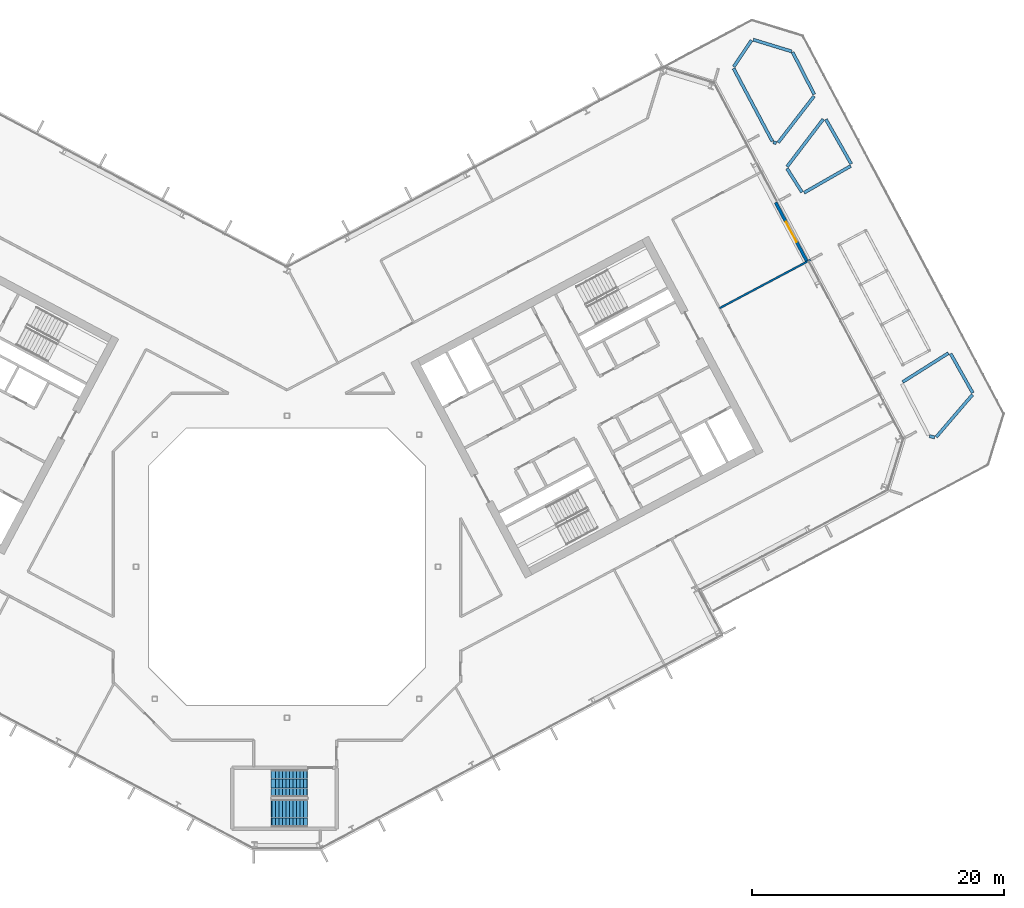
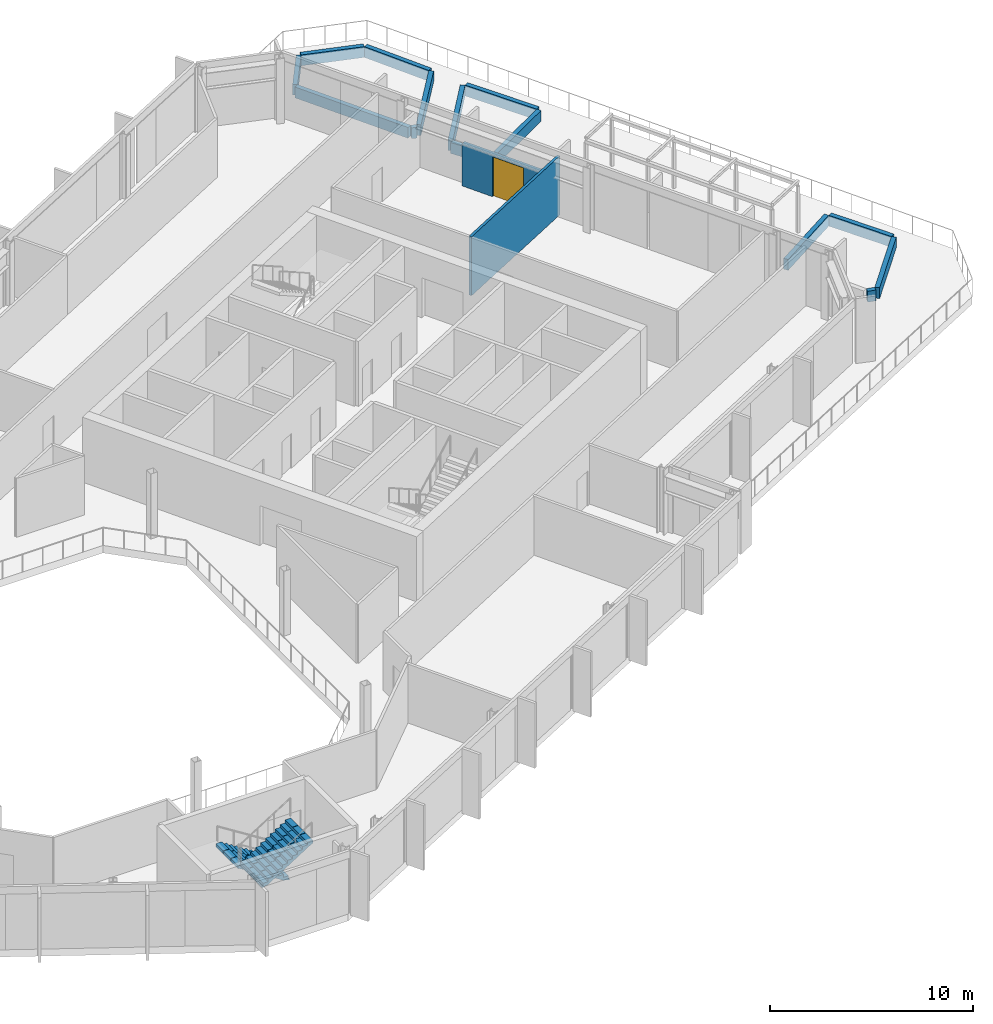
# One storey, part 20 of 31: 16 walls, 2 stair flights, 1 door, 1 opening, 1 element without a shape of its own.
"""IFC4 building model written with IfcOpenShell, lengths in metres."""

from ifc_helpers import new_model, si_unit, direction, frame, frame_2d, origin, place, context, subcontext, project, spatial, polyline, rectangle, outline, extrude, material, layer, layer_set, type_object, element, fill, aggregate, save


model = new_model("IFC4")

# Units and contexts
model_context = context("Model", 3, precision=1e-05, world=origin(), true_north=direction((0.0, 1.0)))
body_context = subcontext(model_context, "Body", "Model", "MODEL_VIEW")
ifc_project = project(units=[si_unit("LENGTHUNIT", "METRE"), si_unit("AREAUNIT", "SQUARE_METRE"), si_unit("VOLUMEUNIT", "CUBIC_METRE"), si_unit("PLANEANGLEUNIT", "RADIAN"), si_unit("MASSUNIT", "GRAM", prefix="KILO")], contexts=[model_context])

# Site, building, storey
site_placement = place(None, origin())
site = spatial("IfcSite", under=ifc_project, at=site_placement, CompositionType="ELEMENT")
building_placement = place(site_placement, origin())
building = spatial("IfcBuilding", under=site, at=building_placement, Name="Cormorant Relay Tower", CompositionType="ELEMENT")
storey_placement = place(building_placement, frame((0.0, 0.0, 189.60009765625)))
storey = spatial("IfcBuildingStorey", under=building, at=storey_placement, Name="L40", CompositionType="ELEMENT", Elevation=189.60009765625)

# Walls
ifc_material_1 = material(Name="Concrete 40 MPa", Category="concrete")
ifc_layer_1 = layer(ifc_material_1, 0.25)
ifc_layer_set_1 = layer_set([ifc_layer_1], Name="Planter kerb 250")
wall_type_1 = type_object("IfcWallType", Name="Planter kerb 250", PredefinedType="STANDARD", material=ifc_layer_set_1)
wall_1_placement = place(storey_placement, frame((48.926025390625, 14.679931640625, 0.0), z_axis=(0.0, 0.0, 1.0), x_axis=(0.845592829487, 0.533828405689, 0.0)))
element("IfcWall", 1, at=wall_1_placement, inside=storey, type_object=wall_type_1, Name="Terrace PLANTER 40-01 kerb", PredefinedType="STANDARD", context=body_context, shape_type="SweptSolid", body=[
    extrude(rectangle(XDim=4.297607421875, YDim=0.25, at=frame_2d((2.14892578125, 0.0))), origin(), (0.0, 0.0, 1.0), 0.64990234375),
])
wall_2_placement = place(storey_placement, frame((52.735595703125, 16.9296875, 0.0), z_axis=(0.0, 0.0, 1.0), x_axis=(0.491204306698, -0.871044389845, 0.0)))
element("IfcWall", 2, at=wall_2_placement, inside=storey, type_object=wall_type_1, Name="Terrace PLANTER 40-01 kerb", PredefinedType="STANDARD", context=body_context, shape_type="SweptSolid", body=[
    extrude(rectangle(XDim=3.57568359375, YDim=0.25, at=frame_2d((1.787841796875, 0.0))), origin(), (0.0, 0.0, 1.0), 0.64990234375),
])
wall_3_placement = place(storey_placement, frame((54.477783203125, 13.672119140625, 0.0), z_axis=(0.0, 0.0, 1.0), x_axis=(-0.651695318241, -0.758480858151, 0.0)))
element("IfcWall", 3, at=wall_3_placement, inside=storey, type_object=wall_type_1, Name="Terrace PLANTER 40-01 kerb", PredefinedType="STANDARD", context=body_context, shape_type="SweptSolid", body=[
    extrude(rectangle(XDim=4.423828125, YDim=0.25, at=frame_2d((2.2119140625, 0.0))), origin(), (0.0, 0.0, 1.0), 0.64990234375),
])
wall_4_placement = place(storey_placement, frame((51.47021484375, 10.276611328125, 0.0), z_axis=(0.0, 0.0, 1.0), x_axis=(-0.971106324375, 0.238647243351, 0.0)))
element("IfcWall", 4, at=wall_4_placement, inside=storey, type_object=wall_type_1, Name="Terrace PLANTER 40-01 kerb", PredefinedType="STANDARD", context=body_context, shape_type="SweptSolid", body=[
    extrude(rectangle(XDim=0.4287109375, YDim=0.25, at=frame_2d((0.21435546875, 0.0))), origin(), (0.0, 0.0, 1.0), 0.64990234375),
])
wall_5_placement = place(storey_placement, frame((39.739013671875, 31.78662109375, 0.0), z_axis=(0.0, 0.0, 1.0), x_axis=(0.606035472329, 0.795437619351, 0.0)))
element("IfcWall", 5, at=wall_5_placement, inside=storey, type_object=wall_type_1, Name="Terrace PLANTER 40-02 kerb", PredefinedType="STANDARD", context=body_context, shape_type="SweptSolid", body=[
    extrude(rectangle(XDim=4.75, YDim=0.25, at=frame_2d((2.375, 0.0))), origin(), (0.0, 0.0, 1.0), 0.64990234375),
])
wall_6_placement = place(storey_placement, frame((42.82568359375, 35.55078125, 0.0), z_axis=(0.0, 0.0, 1.0), x_axis=(0.493516075888, -0.869736674425, 0.0)))
element("IfcWall", 6, at=wall_6_placement, inside=storey, type_object=wall_type_1, Name="Terrace PLANTER 40-02 kerb", PredefinedType="STANDARD", context=body_context, shape_type="SweptSolid", body=[
    extrude(rectangle(XDim=4.0732421875, YDim=0.25, at=frame_2d((2.03662109375, 0.0))), origin(), (0.0, 0.0, 1.0), 0.64990234375),
])
wall_7_placement = place(storey_placement, frame((44.798095703125, 31.8427734375, 0.0), z_axis=(0.0, 0.0, 1.0), x_axis=(-0.86807423061, -0.496434416768, 0.0)))
element("IfcWall", 7, at=wall_7_placement, inside=storey, type_object=wall_type_1, Name="Terrace PLANTER 40-02 kerb", PredefinedType="STANDARD", context=body_context, shape_type="SweptSolid", body=[
    extrude(rectangle(XDim=4.270751953125, YDim=0.25, at=frame_2d((2.13525390625, 0.0))), origin(), (0.0, 0.0, 1.0), 0.64990234375),
])
wall_8_placement = place(storey_placement, frame((40.923828125, 29.763427734375, 0.0), z_axis=(0.0, 0.0, 1.0), x_axis=(-0.535135579086, 0.844766187768, 0.0)))
element("IfcWall", 8, at=wall_8_placement, inside=storey, type_object=wall_type_1, Name="Terrace PLANTER 40-02 kerb", PredefinedType="STANDARD", context=body_context, shape_type="SweptSolid", body=[
    extrude(rectangle(XDim=2.225830078125, YDim=0.25, at=frame_2d((1.11279296875, 0.0))), origin(), (0.0, 0.0, 1.0), 0.64990234375),
])
wall_9_placement = place(storey_placement, frame((35.496337890625, 39.72509765625, 0.0), z_axis=(0.0, 0.0, 1.0), x_axis=(0.559130907229, 0.829079386175, 0.0)))
element("IfcWall", 9, at=wall_9_placement, inside=storey, type_object=wall_type_1, Name="Terrace PLANTER 40-03 kerb", PredefinedType="STANDARD", context=body_context, shape_type="SweptSolid", body=[
    extrude(rectangle(XDim=2.53857421875, YDim=0.25, at=frame_2d((1.269287109375, 0.0))), origin(), (0.0, 0.0, 1.0), 0.64990234375),
])
wall_10_placement = place(storey_placement, frame((37.055908203125, 41.879638671875, 0.0), z_axis=(0.0, 0.0, 1.0), x_axis=(0.956295147383, -0.292403131124, 0.0)))
element("IfcWall", 10, at=wall_10_placement, inside=storey, type_object=wall_type_1, Name="Terrace PLANTER 40-03 kerb", PredefinedType="STANDARD", context=body_context, shape_type="SweptSolid", body=[
    extrude(rectangle(XDim=3.19189453125, YDim=0.25, at=frame_2d((1.595947265625, 0.0))), origin(), (0.0, 0.0, 1.0), 0.64990234375),
])
wall_11_placement = place(storey_placement, frame((40.18310546875, 40.8837890625, 0.0), z_axis=(0.0, 0.0, 1.0), x_axis=(0.455330156888, -0.890322665233, 0.0)))
element("IfcWall", 11, at=wall_11_placement, inside=storey, type_object=wall_type_1, Name="Terrace PLANTER 40-03 kerb", PredefinedType="STANDARD", context=body_context, shape_type="SweptSolid", body=[
    extrude(rectangle(XDim=3.769287109375, YDim=0.25, at=frame_2d((1.884765625, 0.0))), origin(), (0.0, 0.0, 1.0), 0.64990234375),
])
wall_12_placement = place(storey_placement, frame((41.886962890625, 37.394287109375, 0.0), z_axis=(0.0, 0.0, 1.0), x_axis=(-0.61165126496, -0.791127505572, 0.0)))
element("IfcWall", 12, at=wall_12_placement, inside=storey, type_object=wall_type_1, Name="Terrace PLANTER 40-03 kerb", PredefinedType="STANDARD", context=body_context, shape_type="SweptSolid", body=[
    extrude(rectangle(XDim=4.671142578125, YDim=0.25, at=frame_2d((2.33544921875, 0.0))), origin(), (0.0, 0.0, 1.0), 0.64990234375),
])
wall_13_placement = place(storey_placement, frame((38.8896484375, 33.656982421875, 0.0), z_axis=(0.0, 0.0, 1.0), x_axis=(-0.944273306162, 0.32916245726, 0.0)))
element("IfcWall", 13, at=wall_13_placement, inside=storey, type_object=wall_type_1, Name="Terrace PLANTER 40-03 kerb", PredefinedType="STANDARD", context=body_context, shape_type="SweptSolid", body=[
    extrude(rectangle(XDim=0.265625, YDim=0.25, at=frame_2d((0.1328125, 0.0))), origin(), (0.0, 0.0, 1.0), 0.64990234375),
])
wall_14_placement = place(storey_placement, frame((38.569580078125, 33.8037109375, 0.0), z_axis=(0.0, 0.0, 1.0), x_axis=(-0.469430907222, 0.882969208605, 0.0)))
element("IfcWall", 14, at=wall_14_placement, inside=storey, type_object=wall_type_1, Name="Terrace PLANTER 40-03 kerb", PredefinedType="STANDARD", context=body_context, shape_type="SweptSolid", body=[
    extrude(rectangle(XDim=6.560791015625, YDim=0.25, at=frame_2d((3.2802734375, 0.0))), origin(), (0.0, 0.0, 1.0), 0.64990234375),
])
ifc_material_2 = material(Name="Gypsum board partition")
ifc_layer_2 = layer(ifc_material_2, 0.14990234375)
ifc_layer_set_2 = layer_set([ifc_layer_2], Name="Tenant partition 150")
wall_type_2 = type_object("IfcWallType", Name="Tenant partition 150", PredefinedType="PARTITIONING", material=ifc_layer_set_2)
wall_15_placement = place(storey_placement, frame((41.618896484375, 24.39501953125, 0.0), z_axis=(0.0, 0.0, 1.0), x_axis=(-0.882920973231, -0.4695216236, 0.0)))
element("IfcWall", 15, at=wall_15_placement, inside=storey, type_object=wall_type_2, Name="wall/L40/part/043", PredefinedType="PARTITIONING", context=body_context, shape_type="SweptSolid", body=[
    extrude(rectangle(XDim=8.199951171875, YDim=0.14990234375, at=frame_2d((4.10009765625, 0.0))), origin(), (0.0, 0.0, 1.0), 3.539794921875),
])

# Wall, opening, door
ifc_material_3 = material(Name="Bronze anodised aluminium cladding on steel stud", Category="steel")
ifc_layer_3 = layer(ifc_material_3, 0.25)
ifc_layer_set_3 = layer_set([ifc_layer_3], Name="Terrace entrance wall 250")
wall_type_3 = type_object("IfcWallType", Name="Terrace entrance wall 250", PredefinedType="STANDARD", material=ifc_layer_set_3)
wall_16_placement = place(storey_placement, frame((41.332275390625, 24.24169921875, 0.0), z_axis=(0.0, 0.0, 1.0), x_axis=(-0.469485426614, 0.882940221191, 0.0)))
wall_16 = element("IfcWall", 16, at=wall_16_placement, inside=storey, type_object=wall_type_3, Name="Terrace entrance wall", PredefinedType="STANDARD", context=body_context, shape_type="SweptSolid", body=[
    extrude(rectangle(XDim=5.333251953125, YDim=0.25, at=frame_2d((2.66650390625, 0.0))), origin(), (0.0, 0.0, 1.0), 2.529296875),
])
opening_placement = place(wall_16_placement, frame((1.7666015625, 0.0, 0.0)))
opening = element("IfcOpeningElement", 17, at=opening_placement, cuts=wall_16, Name="Opening TD1-010", PredefinedType="OPENING", context=body_context, shape_type="SweptSolid", body=[
    extrude(rectangle(XDim=1.800048828125, YDim=2.39990234375, at=frame_2d((0.89990234375, 1.199951171875))), frame((0.0, 0.135009765625, 0.0), z_axis=(0.0, -1.0, 0.0), x_axis=(1.0, 0.0, 0.0)), (0.0, 0.0, 1.0), 0.27001953125),
])
ifc_material_4 = material(Name="Bronze framed glass door", Category="glass")
door_type = type_object("IfcDoorType", Name="Door terrace glazed 1800", OperationType="DOUBLE_DOOR_SINGLE_SWING", PredefinedType="DOOR", material=ifc_material_4)
door_placement = place(opening_placement, frame((1.800048828125, 0.0, 0.0), z_axis=(0.0, 0.0, 1.0), x_axis=(-1.0, 0.0, 0.0)))
door = element("IfcDoor", 18, at=door_placement, inside=storey, type_object=door_type, Name="Terrace door", OperationType="DOUBLE_DOOR_SINGLE_SWING", OverallHeight=2.39990234375, OverallWidth=1.800048828125, PredefinedType="DOOR", context=body_context, shape_type="SweptSolid", body=[
    extrude(rectangle(XDim=1.800048828125, YDim=2.39990234375, at=frame_2d((0.89990234375, 1.199951171875))), frame((0.0, 0.02490234375, 0.0), z_axis=(0.0, -1.0, 0.0), x_axis=(1.0, 0.0, 0.0)), (0.0, 0.0, 1.0), 0.050048828125),
])
fill(opening, door)

# Stair, stair flights
ifc_material_5 = material(Name="Concrete 40 MPa", Category="concrete")
stair_type = type_object("IfcStairType", Name="Remote exit stair 2200", PredefinedType="HALF_TURN_STAIR", material=ifc_material_5)
stair_placement = place(storey_placement, origin())
stair = element("IfcStair", 19, at=stair_placement, inside=storey, type_object=stair_type, Name="L40 Stair", PredefinedType="HALF_TURN_STAIR")
ifc_material_6 = material(Name="Concrete 40 MPa", Category="concrete")
stair_flight_type = type_object("IfcStairFlightType", Name="Remote exit stair flight 2200", PredefinedType="STRAIGHT", material=ifc_material_6)
stair_flight_1_placement = place(storey_placement, frame((1.60009765625, -17.22509765625, 0.0), z_axis=(0.0, 0.0, 1.0), x_axis=(-1.0, 0.0, 0.0)))
stair_flight_1 = element("IfcStairFlight", 20, at=stair_flight_1_placement, type_object=stair_flight_type, Name="RK1 flight 1", NumberOfRisers=11, NumberOfTreads=10, PredefinedType="STRAIGHT", RiserHeight=0.177272727, TreadLength=0.28, context=body_context, shape_type="SweptSolid", body=[
    extrude(outline(polyline([(-0.050048828125, -0.080078125), (-0.050048828125, 0.0), (0.0, 0.0), (0.0, 0.17724609375), (0.280029296875, 0.17724609375), (0.280029296875, 0.3544921875), (0.56005859375, 0.3544921875), (0.56005859375, 0.53173828125), (0.840087890625, 0.53173828125), (0.840087890625, 0.708984375), (1.1201171875, 0.708984375), (1.1201171875, 0.886474609375), (1.39990234375, 0.886474609375), (1.39990234375, 1.063720703125), (1.679931640625, 1.063720703125), (1.679931640625, 1.240966796875), (1.9599609375, 1.240966796875), (1.9599609375, 1.418212890625), (2.239990234375, 1.418212890625), (2.239990234375, 1.595458984375), (2.52001953125, 1.595458984375), (2.52001953125, 1.772705078125), (2.800048828125, 1.772705078125), (2.85009765625, 1.772705078125), (2.85009765625, 1.59521484375), (2.800048828125, 1.59521484375), (0.2802734375, 0.0), (-0.050048828125, -0.080078125)])), frame((0.0, 1.10009765625, 0.0), z_axis=(0.0, -1.0, 0.0), x_axis=(1.0, 0.0, 0.0)), (0.0, 0.0, 1.0), 0.719970703125),
    extrude(outline(polyline([(-0.050048828125, -0.080078125), (-0.050048828125, 0.0), (0.0, 0.0), (0.0, 0.17724609375), (0.280029296875, 0.17724609375), (0.280029296875, 0.3544921875), (0.56005859375, 0.3544921875), (0.56005859375, 0.53173828125), (0.840087890625, 0.53173828125), (0.840087890625, 0.708984375), (1.1201171875, 0.708984375), (1.1201171875, 0.886474609375), (1.39990234375, 0.886474609375), (1.39990234375, 1.063720703125), (1.679931640625, 1.063720703125), (1.679931640625, 1.240966796875), (1.9599609375, 1.240966796875), (1.9599609375, 1.418212890625), (2.239990234375, 1.418212890625), (2.239990234375, 1.595458984375), (2.52001953125, 1.595458984375), (2.52001953125, 1.772705078125), (2.800048828125, 1.772705078125), (2.85009765625, 1.772705078125), (2.85009765625, 1.59521484375), (2.800048828125, 1.59521484375), (0.2802734375, 0.0), (-0.050048828125, -0.080078125)])), frame((0.0, 0.360107421875, 0.0), z_axis=(0.0, -1.0, 0.0), x_axis=(1.0, 0.0, 0.0)), (0.0, 0.0, 1.0), 0.719970703125),
    extrude(outline(polyline([(-0.050048828125, -0.080078125), (-0.050048828125, 0.0), (0.0, 0.0), (0.0, 0.17724609375), (0.280029296875, 0.17724609375), (0.280029296875, 0.3544921875), (0.56005859375, 0.3544921875), (0.56005859375, 0.53173828125), (0.840087890625, 0.53173828125), (0.840087890625, 0.708984375), (1.1201171875, 0.708984375), (1.1201171875, 0.886474609375), (1.39990234375, 0.886474609375), (1.39990234375, 1.063720703125), (1.679931640625, 1.063720703125), (1.679931640625, 1.240966796875), (1.9599609375, 1.240966796875), (1.9599609375, 1.418212890625), (2.239990234375, 1.418212890625), (2.239990234375, 1.595458984375), (2.52001953125, 1.595458984375), (2.52001953125, 1.772705078125), (2.800048828125, 1.772705078125), (2.85009765625, 1.772705078125), (2.85009765625, 1.59521484375), (2.800048828125, 1.59521484375), (0.2802734375, 0.0), (-0.050048828125, -0.080078125)])), frame((0.0, -0.3798828125, 0.0), z_axis=(0.0, -1.0, 0.0), x_axis=(1.0, 0.0, 0.0)), (0.0, 0.0, 1.0), 0.719970703125),
])
stair_flight_2_placement = place(storey_placement, frame((-1.199951171875, -19.574951171875, 1.949951171875), z_axis=(0.0, 0.0, 1.0), x_axis=(1.0, 0.0, 0.0)))
stair_flight_2 = element("IfcStairFlight", 21, at=stair_flight_2_placement, type_object=stair_flight_type, Name="RK1 flight 2", NumberOfRisers=11, NumberOfTreads=10, PredefinedType="STRAIGHT", RiserHeight=0.177272727, TreadLength=0.28, context=body_context, shape_type="SweptSolid", body=[
    extrude(outline(polyline([(-0.050048828125, -0.080078125), (-0.050048828125, 0.0), (0.0, 0.0), (0.0, 0.17724609375), (0.280029296875, 0.17724609375), (0.280029296875, 0.3544921875), (0.56005859375, 0.3544921875), (0.56005859375, 0.53173828125), (0.840087890625, 0.53173828125), (0.840087890625, 0.708984375), (1.1201171875, 0.708984375), (1.1201171875, 0.886474609375), (1.39990234375, 0.886474609375), (1.39990234375, 1.063720703125), (1.679931640625, 1.063720703125), (1.679931640625, 1.240966796875), (1.9599609375, 1.240966796875), (1.9599609375, 1.418212890625), (2.239990234375, 1.418212890625), (2.239990234375, 1.595458984375), (2.52001953125, 1.595458984375), (2.52001953125, 1.772705078125), (2.800048828125, 1.772705078125), (2.85009765625, 1.772705078125), (2.85009765625, 1.59521484375), (2.800048828125, 1.59521484375), (0.2802734375, 0.0), (-0.050048828125, -0.080078125)])), frame((0.0, 1.10009765625, 0.0), z_axis=(0.0, -1.0, 0.0), x_axis=(1.0, 0.0, 0.0)), (0.0, 0.0, 1.0), 0.719970703125),
    extrude(outline(polyline([(-0.050048828125, -0.080078125), (-0.050048828125, 0.0), (0.0, 0.0), (0.0, 0.17724609375), (0.280029296875, 0.17724609375), (0.280029296875, 0.3544921875), (0.56005859375, 0.3544921875), (0.56005859375, 0.53173828125), (0.840087890625, 0.53173828125), (0.840087890625, 0.708984375), (1.1201171875, 0.708984375), (1.1201171875, 0.886474609375), (1.39990234375, 0.886474609375), (1.39990234375, 1.063720703125), (1.679931640625, 1.063720703125), (1.679931640625, 1.240966796875), (1.9599609375, 1.240966796875), (1.9599609375, 1.418212890625), (2.239990234375, 1.418212890625), (2.239990234375, 1.595458984375), (2.52001953125, 1.595458984375), (2.52001953125, 1.772705078125), (2.800048828125, 1.772705078125), (2.85009765625, 1.772705078125), (2.85009765625, 1.59521484375), (2.800048828125, 1.59521484375), (0.2802734375, 0.0), (-0.050048828125, -0.080078125)])), frame((0.0, 0.360107421875, 0.0), z_axis=(0.0, -1.0, 0.0), x_axis=(1.0, 0.0, 0.0)), (0.0, 0.0, 1.0), 0.719970703125),
    extrude(outline(polyline([(-0.050048828125, -0.080078125), (-0.050048828125, 0.0), (0.0, 0.0), (0.0, 0.17724609375), (0.280029296875, 0.17724609375), (0.280029296875, 0.3544921875), (0.56005859375, 0.3544921875), (0.56005859375, 0.53173828125), (0.840087890625, 0.53173828125), (0.840087890625, 0.708984375), (1.1201171875, 0.708984375), (1.1201171875, 0.886474609375), (1.39990234375, 0.886474609375), (1.39990234375, 1.063720703125), (1.679931640625, 1.063720703125), (1.679931640625, 1.240966796875), (1.9599609375, 1.240966796875), (1.9599609375, 1.418212890625), (2.239990234375, 1.418212890625), (2.239990234375, 1.595458984375), (2.52001953125, 1.595458984375), (2.52001953125, 1.772705078125), (2.800048828125, 1.772705078125), (2.85009765625, 1.772705078125), (2.85009765625, 1.59521484375), (2.800048828125, 1.59521484375), (0.2802734375, 0.0), (-0.050048828125, -0.080078125)])), frame((0.0, -0.3798828125, 0.0), z_axis=(0.0, -1.0, 0.0), x_axis=(1.0, 0.0, 0.0)), (0.0, 0.0, 1.0), 0.719970703125),
])
aggregate(stair, [stair_flight_1, stair_flight_2])

save(model, "model.ifc")
